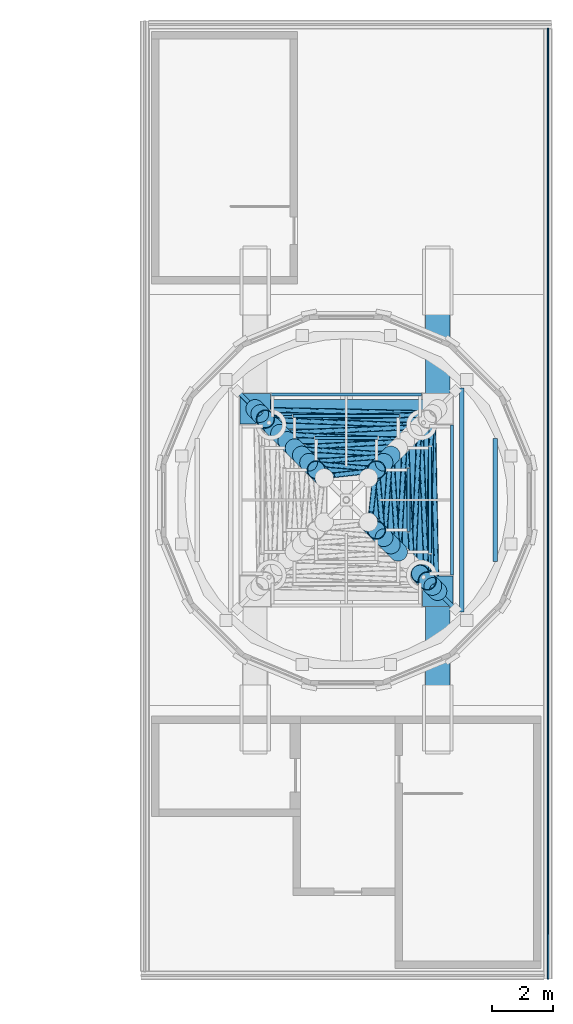
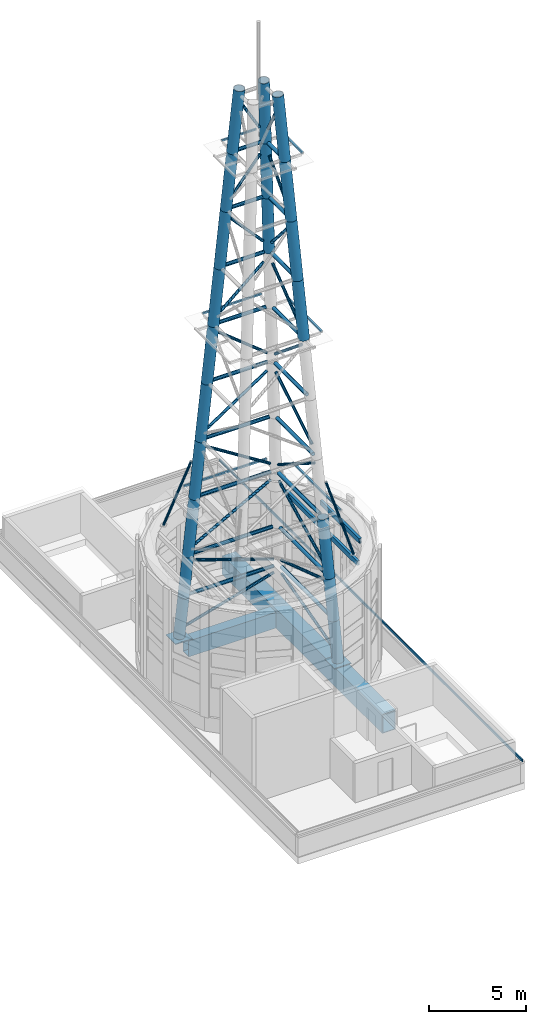
# One storey, part 8 of 36: 63 members, 10 beams.
"""IFC4 building model written with IfcOpenShell, lengths in metres."""

from ifc_helpers import new_model, si_unit, direction, frame, origin, origin_2d, place, context, subcontext, project, spatial, rectangle, hollow_rectangle, hollow_circle, extrude, material, material_profile, profile_set, type_object, element, save


model = new_model("IFC4")

# Units and contexts
model_context = context("Model", 3, precision=1e-05, world=origin(), true_north=direction((0.0, 1.0)))
body_context = subcontext(model_context, "Body", "Model", "MODEL_VIEW")
ifc_project = project(units=[si_unit("LENGTHUNIT", "METRE"), si_unit("AREAUNIT", "SQUARE_METRE"), si_unit("VOLUMEUNIT", "CUBIC_METRE"), si_unit("PLANEANGLEUNIT", "RADIAN"), si_unit("MASSUNIT", "GRAM", prefix="KILO")], contexts=[model_context])

# Site, building, storey
site_placement = place(None, origin())
site = spatial("IfcSite", under=ifc_project, at=site_placement, CompositionType="ELEMENT")
building_placement = place(site_placement, origin())
building = spatial("IfcBuilding", under=site, at=building_placement, Name="Ipe Terrace Towers", CompositionType="ELEMENT")
storey_placement = place(building_placement, frame((0.0, 0.0, 264.89990234375)))
storey = spatial("IfcBuildingStorey", under=building, at=storey_placement, Name="Roof", CompositionType="ELEMENT", Elevation=264.89990234375)

# Beams
ifc_material_1 = material(Name="Steel S355", Category="steel")
ifc_material_profile_1 = material_profile(ifc_material_1, hollow_rectangle(XDim=0.60009765625, YDim=1.0, WallThickness=0.030029296875, at=origin_2d()), Name="CROWN-CROSS BEAM BOX 600x1000x30")
ifc_profile_set_1 = profile_set([ifc_material_profile_1], Name="Steel S355")
beam_type_1 = type_object("IfcBeamType", Name="CROWN-CROSS BEAM BOX 600x1000x30", PredefinedType="BEAM", material=ifc_profile_set_1)
beam_1_placement = place(storey_placement, frame((38.60009765625, 3.0, 0.5), z_axis=(-1.0, 0.0, 0.0), x_axis=(0.0, -1.0, 0.0)))
element("IfcBeam", 1, at=beam_1_placement, inside=storey, type_object=beam_type_1, Name="T2-CX2 crown cross beam", PredefinedType="BEAM", context=body_context, shape_type="SweptSolid", body=[
    extrude(hollow_rectangle(XDim=0.60009765625, YDim=1.0, WallThickness=0.030029296875, at=origin_2d()), origin(), (0.0, 0.0, 1.0), 5.2001953125),
])
ifc_material_2 = material(Name="Steel S355", Category="steel")
ifc_material_profile_2 = material_profile(ifc_material_2, hollow_rectangle(XDim=0.14990234375, YDim=0.300048828125, WallThickness=0.010009765625, at=origin_2d()), Name="CROWN-DRUM PURLIN BOX 150x300x10")
ifc_profile_set_2 = profile_set([ifc_material_profile_2], Name="Steel S355")
beam_type_2 = type_object("IfcBeamType", Name="CROWN-DRUM PURLIN BOX 150x300x10", PredefinedType="BEAM", material=ifc_profile_set_2)
beam_2_placement = place(storey_placement, frame((39.800048828125, -3.68701171875, 7.550048828125), z_axis=(0.0, 1.0, 0.0), x_axis=(-1.0, 0.0, 0.0)))
element("IfcBeam", 2, at=beam_2_placement, inside=storey, type_object=beam_type_2, Name="T2-CR-PU1S drum roof purlin", PredefinedType="BEAM", context=body_context, shape_type="SweptSolid", body=[
    extrude(hollow_rectangle(XDim=0.14990234375, YDim=0.300048828125, WallThickness=0.010009765625, at=origin_2d()), origin(), (0.0, 0.0, 1.0), 7.3740234375),
])
beam_3_placement = place(storey_placement, frame((40.89990234375, -2.01806640625, 7.550048828125), z_axis=(0.0, 1.0, 0.0), x_axis=(-1.0, 0.0, 0.0)))
element("IfcBeam", 3, at=beam_3_placement, inside=storey, type_object=beam_type_2, Name="T2-CR-PU2S drum roof purlin", PredefinedType="BEAM", context=body_context, shape_type="SweptSolid", body=[
    extrude(hollow_rectangle(XDim=0.14990234375, YDim=0.300048828125, WallThickness=0.010009765625, at=origin_2d()), origin(), (0.0, 0.0, 1.0), 4.0361328125),
])
ifc_material_3 = material(Name="Steel S355", Category="steel")
ifc_material_profile_3 = material_profile(ifc_material_3, hollow_rectangle(XDim=0.800048828125, YDim=1.199951171875, WallThickness=0.0400390625, at=origin_2d()), Name="CROWN-GIRDER BOX 800x1200x40")
ifc_profile_set_3 = profile_set([ifc_material_profile_3], Name="Steel S355")
beam_type_3 = type_object("IfcBeamType", Name="CROWN-GIRDER BOX 800x1200x40", PredefinedType="BEAM", material=ifc_profile_set_3)
beam_4_placement = place(storey_placement, frame((39.0, -8.25, 0.60009765625), z_axis=(0.0, 1.0, 0.0), x_axis=(-1.0, 0.0, 0.0)))
element("IfcBeam", 4, at=beam_4_placement, inside=storey, type_object=beam_type_3, Name="T2-CG1 crown girder", PredefinedType="BEAM", context=body_context, shape_type="SweptSolid", body=[
    extrude(hollow_rectangle(XDim=0.800048828125, YDim=1.199951171875, WallThickness=0.0400390625, at=origin_2d()), origin(), (0.0, 0.0, 1.0), 16.5),
])

# Members
ifc_material_4 = material(Name="Steel S355", Category="steel")
member_type_1 = type_object("IfcMemberType", Name="MAST-BASE PLATE 1000x1000x50", PredefinedType="PLATE", material=ifc_material_4)
for number, where, z_axis, x_axis, name in (
    (5, (39.0, -3.0, 1.2001953125), (0.0, 0.0, 1.0), (1.0, 0.0, 0.0), "T2-MP-SW mast base plate"),
    (6, (33.0, 3.0, 1.2001953125), (0.0, 0.0, 1.0), (1.0, 0.0, 0.0), "T2-MP-NE mast base plate"),
):
    element("IfcMember", number, at=place(storey_placement, frame(where, z_axis=z_axis, x_axis=x_axis)), inside=storey, type_object=member_type_1, Name=name, PredefinedType="PLATE", context=body_context, shape_type="SweptSolid", body=[
        extrude(rectangle(XDim=1.0, YDim=1.0, at=origin_2d()), origin(), (0.0, 0.0, 1.0), 0.050048828125),
    ])
ifc_material_5 = material(Name="Steel S355", Category="steel")
ifc_material_profile_4 = material_profile(ifc_material_5, hollow_circle(Radius=0.083984375, WallThickness=0.008056640625, at=origin_2d()), Name="MAST-BRACE CHS 168x8")
ifc_profile_set_4 = profile_set([ifc_material_profile_4], Name="Steel S355")
member_type_2 = type_object("IfcMemberType", Name="MAST-BRACE CHS 168x8", PredefinedType="BRACE", material=ifc_profile_set_4)
for number, where, z_axis, x_axis, name in (
    (7, (38.9609375, -2.653076171875, 1.84619140625), (-0.018900125811, 0.95633740865, 0.291653126265), (-0.999804768492, -0.019759172589, 0.0), "T2-MS-081 mast brace"),
    (8, (33.346923828125, 2.9609375, 1.84619140625), (0.95633740865, -0.018900125811, 0.291653126265), (0.019759172589, 0.999804768492, 0.0), "T2-MS-082 mast brace"),
):
    element("IfcMember", number, at=place(storey_placement, frame(where, z_axis=z_axis, x_axis=x_axis)), inside=storey, type_object=member_type_2, Name=name, PredefinedType="BRACE", context=body_context, shape_type="SweptSolid", body=[
        extrude(hollow_circle(Radius=0.083984375, WallThickness=0.008056640625, at=origin_2d()), origin(), (0.0, 0.0, 1.0), 5.451171875),
    ])
for number, where, z_axis, x_axis, name in (
    (9, (38.800048828125, 2.489013671875, 4.337158203125), (-0.021489448759, -0.943457644837, 0.330795822209), (0.999740697447, -0.022771426579, 0.0), "T2-MS-085 mast brace"),
    (10, (38.489013671875, 2.800048828125, 4.337158203125), (-0.943457644837, -0.021489448759, 0.330795822209), (0.022771426579, -0.999740697447, 0.0), "T2-MS-086 mast brace"),
):
    element("IfcMember", number, at=place(storey_placement, frame(where, z_axis=z_axis, x_axis=x_axis)), inside=storey, type_object=member_type_2, Name=name, PredefinedType="BRACE", context=body_context, shape_type="SweptSolid", body=[
        extrude(hollow_circle(Radius=0.083984375, WallThickness=0.008056640625, at=origin_2d()), origin(), (0.0, 0.0, 1.0), 5.169189453125),
    ])
for number, where, z_axis, x_axis, name in (
    (11, (38.625, -2.299072265625, 7.049072265625), (-0.032799136464, 0.861593500924, 0.506538108944), (-0.999276200493, -0.038040440683, 0.0), "T2-MS-089 mast brace"),
    (12, (33.700927734375, 2.625, 7.049072265625), (0.861593500924, -0.032799136464, 0.506538108944), (0.038040440683, 0.999276200493, 0.0), "T2-MS-090 mast brace"),
):
    element("IfcMember", number, at=place(storey_placement, frame(where, z_axis=z_axis, x_axis=x_axis)), inside=storey, type_object=member_type_2, Name=name, PredefinedType="BRACE", context=body_context, shape_type="SweptSolid", body=[
        extrude(hollow_circle(Radius=0.083984375, WallThickness=0.008056640625, at=origin_2d()), origin(), (0.0, 0.0, 1.0), 5.15087890625),
    ])
for number, where, z_axis, x_axis, name in (
    (13, (38.384033203125, 2.055908203125, 10.760009765625), (-0.035198613688, -0.838296395107, 0.544077394811), (0.999119656549, -0.041951303887, 0.0), "T2-MS-093 mast brace"),
    (14, (38.055908203125, 2.384033203125, 10.760009765625), (-0.838296395107, -0.035198613688, 0.544077394811), (0.041951303887, -0.999119656549, 0.0), "T2-MS-094 mast brace"),
):
    element("IfcMember", number, at=place(storey_placement, frame(where, z_axis=z_axis, x_axis=x_axis)), inside=storey, type_object=member_type_2, Name=name, PredefinedType="BRACE", context=body_context, shape_type="SweptSolid", body=[
        extrude(hollow_circle(Radius=0.083984375, WallThickness=0.008056640625, at=origin_2d()), origin(), (0.0, 0.0, 1.0), 4.716552734375),
    ])
for number, where, z_axis, x_axis, name in (
    (15, (38.14404296875, -1.81201171875, 14.47705078125), (-0.038048207912, 0.809549669247, 0.58581709338), (-0.998897362773, -0.046947402964, 0.0), "T2-MS-097 mast brace"),
    (16, (34.18798828125, 2.14404296875, 14.47705078125), (0.809549669247, -0.038048207912, 0.58581709338), (0.046947402964, 0.998897362773, 0.0), "T2-MS-098 mast brace"),
):
    element("IfcMember", number, at=place(storey_placement, frame(where, z_axis=z_axis, x_axis=x_axis)), inside=storey, type_object=member_type_2, Name=name, PredefinedType="BRACE", context=body_context, shape_type="SweptSolid", body=[
        extrude(hollow_circle(Radius=0.083984375, WallThickness=0.008056640625, at=origin_2d()), origin(), (0.0, 0.0, 1.0), 4.286376953125),
    ])
for number, where, z_axis, x_axis, name in (
    (17, (37.902099609375, 1.56689453125, 18.2021484375), (-0.04098334077, -0.772991343968, 0.633091421463), (0.998597441373, -0.052944783342, 0.0), "T2-MS-101 mast brace"),
    (18, (37.56689453125, 1.902099609375, 18.2021484375), (-0.772991343968, -0.04098334077, 0.633091421463), (0.052944783342, -0.998597441373, 0.0), "T2-MS-102 mast brace"),
):
    element("IfcMember", number, at=place(storey_placement, frame(where, z_axis=z_axis, x_axis=x_axis)), inside=storey, type_object=member_type_2, Name=name, PredefinedType="BRACE", context=body_context, shape_type="SweptSolid", body=[
        extrude(hollow_circle(Radius=0.083984375, WallThickness=0.008056640625, at=origin_2d()), origin(), (0.0, 0.0, 1.0), 3.860107421875),
    ])
for number, where, z_axis, x_axis, name in (
    (19, (37.659912109375, -1.321044921875, 21.940185546875), (-0.044215908923, 0.727074463766, 0.685133328293), (-0.998155975162, -0.060701311747, 0.0), "T2-MS-105 mast brace"),
    (20, (34.678955078125, 1.659912109375, 21.940185546875), (0.727074463766, -0.044215908923, 0.685133328293), (0.060701311747, 0.998155975162, 0.0), "T2-MS-106 mast brace"),
):
    element("IfcMember", number, at=place(storey_placement, frame(where, z_axis=z_axis, x_axis=x_axis)), inside=storey, type_object=member_type_2, Name=name, PredefinedType="BRACE", context=body_context, shape_type="SweptSolid", body=[
        extrude(hollow_circle(Radius=0.083984375, WallThickness=0.008056640625, at=origin_2d()), origin(), (0.0, 0.0, 1.0), 3.434326171875),
    ])
for number, where, z_axis, x_axis, name in (
    (21, (37.4169921875, 1.073974609375, 25.697021484375), (-0.047924679705, -0.668752352567, 0.741939024456), (0.997442068192, -0.071479511749, 0.0), "T2-MS-109 mast brace"),
    (22, (37.073974609375, 1.4169921875, 25.697021484375), (-0.668752352567, -0.047924679705, 0.741939024456), (0.071479511749, -0.997442068192, 0.0), "T2-MS-110 mast brace"),
):
    element("IfcMember", number, at=place(storey_placement, frame(where, z_axis=z_axis, x_axis=x_axis)), inside=storey, type_object=member_type_2, Name=name, PredefinedType="BRACE", context=body_context, shape_type="SweptSolid", body=[
        extrude(hollow_circle(Radius=0.083984375, WallThickness=0.008056640625, at=origin_2d()), origin(), (0.0, 0.0, 1.0), 3.005615234375),
    ])
for number, where, z_axis, x_axis, name in (
    (23, (37.172119140625, -0.823974609375, 29.488037109375), (-0.052037864447, 0.594854854142, 0.802146971051), (-0.996195452949, -0.087147114263, 0.0), "T2-MS-113 mast brace"),
    (24, (35.176025390625, 1.172119140625, 29.488037109375), (0.594854854142, -0.052037864447, 0.802146971051), (0.087147114263, 0.996195452949, 0.0), "T2-MS-114 mast brace"),
):
    element("IfcMember", number, at=place(storey_placement, frame(where, z_axis=z_axis, x_axis=x_axis)), inside=storey, type_object=member_type_2, Name=name, PredefinedType="BRACE", context=body_context, shape_type="SweptSolid", body=[
        extrude(hollow_circle(Radius=0.083984375, WallThickness=0.008056640625, at=origin_2d()), origin(), (0.0, 0.0, 1.0), 2.556884765625),
    ])
for number, where, z_axis, x_axis, name in (
    (25, (36.922119140625, 0.570068359375, 33.342041015625), (-0.056120894342, -0.502115544078, 0.862977650703), (0.993811777003, -0.111077233897, 0.0), "T2-MS-117 mast brace"),
    (26, (36.570068359375, 0.922119140625, 33.342041015625), (-0.502115544078, -0.056120894342, 0.862977650703), (0.111077233897, -0.993811777003, 0.0), "T2-MS-118 mast brace"),
):
    element("IfcMember", number, at=place(storey_placement, frame(where, z_axis=z_axis, x_axis=x_axis)), inside=storey, type_object=member_type_2, Name=name, PredefinedType="BRACE", context=body_context, shape_type="SweptSolid", body=[
        extrude(hollow_circle(Radius=0.083984375, WallThickness=0.008056640625, at=origin_2d()), origin(), (0.0, 0.0, 1.0), 2.05322265625),
    ])
ifc_material_6 = material(Name="Steel S355", Category="steel")
ifc_material_profile_5 = material_profile(ifc_material_6, hollow_circle(Radius=0.304931640625, WallThickness=0.02490234375, at=origin_2d()), Name="MAST-LEG CHS 610x25")
ifc_profile_set_5 = profile_set([ifc_material_profile_5], Name="Steel S355")
member_type_3 = type_object("IfcMemberType", Name="MAST-LEG CHS 610x25", PredefinedType="POST", material=ifc_profile_set_5)
member_1_placement = place(storey_placement, frame((38.998046875, -2.998046875, 1.277099609375), z_axis=(-0.064386978036, 0.064386978036, 0.995845687905), x_axis=(-0.707106781187, -0.707106781187, 0.0)))
element("IfcMember", 27, at=member_1_placement, inside=storey, type_object=member_type_3, Name="T2-MS-001 mast leg", PredefinedType="POST", context=body_context, shape_type="SweptSolid", body=[
    extrude(hollow_circle(Radius=0.304931640625, WallThickness=0.02490234375, at=origin_2d()), origin(), (0.0, 0.0, 1.0), 2.608642578125),
])
member_2_placement = place(storey_placement, frame((38.830078125, -2.830078125, 3.875), z_axis=(-0.064554439306, 0.064554439306, 0.995824004898), x_axis=(-0.707106781187, -0.707106781187, 0.0)))
element("IfcMember", 28, at=member_2_placement, inside=storey, type_object=member_type_3, Name="T2-MS-002 mast leg", PredefinedType="POST", context=body_context, shape_type="SweptSolid", body=[
    extrude(hollow_circle(Radius=0.304931640625, WallThickness=0.02490234375, at=origin_2d()), origin(), (0.0, 0.0, 1.0), 2.635986328125),
])
for number, where, z_axis, x_axis, name in (
    (29, (38.659912109375, -2.659912109375, 6.5), (-0.064555132618, 0.064555132618, 0.99582391501), (-0.707106781187, -0.707106781187, 0.0), "T2-MS-003 mast leg"),
    (30, (37.705078125, -1.705078125, 21.25), (-0.064555132618, 0.064555132618, 0.99582391501), (-0.707106781187, -0.707106781187, 0.0), "T2-MS-007 mast leg"),
):
    element("IfcMember", number, at=place(storey_placement, frame(where, z_axis=z_axis, x_axis=x_axis)), inside=storey, type_object=member_type_3, Name=name, PredefinedType="POST", context=body_context, shape_type="SweptSolid", body=[
        extrude(hollow_circle(Radius=0.304931640625, WallThickness=0.02490234375, at=origin_2d()), origin(), (0.0, 0.0, 1.0), 3.702392578125),
    ])
member_3_placement = place(storey_placement, frame((37.466064453125, -1.466064453125, 24.93701171875), z_axis=(-0.06427667421, 0.06427667421, 0.9958599391), x_axis=(-0.707106781187, -0.707106781187, 0.0)))
element("IfcMember", 31, at=member_3_placement, inside=storey, type_object=member_type_3, Name="T2-MS-008 mast leg", PredefinedType="POST", context=body_context, shape_type="SweptSolid", body=[
    extrude(hollow_circle(Radius=0.304931640625, WallThickness=0.02490234375, at=origin_2d()), origin(), (0.0, 0.0, 1.0), 3.703369140625),
])
member_4_placement = place(storey_placement, frame((37.22802734375, -1.22802734375, 28.625), z_axis=(-0.064555132618, 0.064555132618, 0.99582391501), x_axis=(-0.707106781187, -0.707106781187, 0.0)))
element("IfcMember", 32, at=member_4_placement, inside=storey, type_object=member_type_3, Name="T2-MS-009 mast leg", PredefinedType="POST", context=body_context, shape_type="SweptSolid", body=[
    extrude(hollow_circle(Radius=0.304931640625, WallThickness=0.02490234375, at=origin_2d()), origin(), (0.0, 0.0, 1.0), 3.702392578125),
])
member_5_placement = place(storey_placement, frame((36.989013671875, -0.989013671875, 32.31201171875), z_axis=(-0.064601727709, 0.064601727709, 0.995817871678), x_axis=(-0.707106781187, -0.707106781187, 0.0)))
element("IfcMember", 33, at=member_5_placement, inside=storey, type_object=member_type_3, Name="T2-MS-010 mast leg", PredefinedType="POST", context=body_context, shape_type="SweptSolid", body=[
    extrude(hollow_circle(Radius=0.304931640625, WallThickness=0.02490234375, at=origin_2d()), origin(), (0.0, 0.0, 1.0), 4.054931640625),
])
member_6_placement = place(storey_placement, frame((37.466064453125, 1.466064453125, 24.93701171875), z_axis=(-0.06427667421, -0.06427667421, 0.9958599391), x_axis=(0.707106781187, -0.707106781187, 0.0)))
element("IfcMember", 34, at=member_6_placement, inside=storey, type_object=member_type_3, Name="T2-MS-028 mast leg", PredefinedType="POST", context=body_context, shape_type="SweptSolid", body=[
    extrude(hollow_circle(Radius=0.304931640625, WallThickness=0.02490234375, at=origin_2d()), origin(), (0.0, 0.0, 1.0), 3.703369140625),
])
member_7_placement = place(storey_placement, frame((37.22802734375, 1.22802734375, 28.625), z_axis=(-0.064555132618, -0.064555132618, 0.99582391501), x_axis=(0.707106781187, -0.707106781187, 0.0)))
element("IfcMember", 35, at=member_7_placement, inside=storey, type_object=member_type_3, Name="T2-MS-029 mast leg", PredefinedType="POST", context=body_context, shape_type="SweptSolid", body=[
    extrude(hollow_circle(Radius=0.304931640625, WallThickness=0.02490234375, at=origin_2d()), origin(), (0.0, 0.0, 1.0), 3.702392578125),
])
member_8_placement = place(storey_placement, frame((36.989013671875, 0.989013671875, 32.31201171875), z_axis=(-0.064601727709, -0.064601727709, 0.995817871678), x_axis=(0.707106781187, -0.707106781187, 0.0)))
element("IfcMember", 36, at=member_8_placement, inside=storey, type_object=member_type_3, Name="T2-MS-030 mast leg", PredefinedType="POST", context=body_context, shape_type="SweptSolid", body=[
    extrude(hollow_circle(Radius=0.304931640625, WallThickness=0.02490234375, at=origin_2d()), origin(), (0.0, 0.0, 1.0), 4.054931640625),
])
member_9_placement = place(storey_placement, frame((33.001953125, 2.998046875, 1.277099609375), z_axis=(0.064386978036, -0.064386978036, 0.995845687905), x_axis=(0.707106781187, 0.707106781187, 0.0)))
element("IfcMember", 37, at=member_9_placement, inside=storey, type_object=member_type_3, Name="T2-MS-031 mast leg", PredefinedType="POST", context=body_context, shape_type="SweptSolid", body=[
    extrude(hollow_circle(Radius=0.304931640625, WallThickness=0.02490234375, at=origin_2d()), origin(), (0.0, 0.0, 1.0), 2.608642578125),
])
member_10_placement = place(storey_placement, frame((33.169921875, 2.830078125, 3.875), z_axis=(0.064554439306, -0.064554439306, 0.995824004898), x_axis=(0.707106781187, 0.707106781187, 0.0)))
element("IfcMember", 38, at=member_10_placement, inside=storey, type_object=member_type_3, Name="T2-MS-032 mast leg", PredefinedType="POST", context=body_context, shape_type="SweptSolid", body=[
    extrude(hollow_circle(Radius=0.304931640625, WallThickness=0.02490234375, at=origin_2d()), origin(), (0.0, 0.0, 1.0), 2.635986328125),
])
member_11_placement = place(storey_placement, frame((33.340087890625, 2.659912109375, 6.5), z_axis=(0.064555132618, -0.064555132618, 0.99582391501), x_axis=(0.707106781187, 0.707106781187, 0.0)))
element("IfcMember", 39, at=member_11_placement, inside=storey, type_object=member_type_3, Name="T2-MS-033 mast leg", PredefinedType="POST", context=body_context, shape_type="SweptSolid", body=[
    extrude(hollow_circle(Radius=0.304931640625, WallThickness=0.02490234375, at=origin_2d()), origin(), (0.0, 0.0, 1.0), 3.702392578125),
])
member_12_placement = place(storey_placement, frame((33.5791015625, 2.4208984375, 10.18701171875), z_axis=(0.064211293321, -0.064211293321, 0.995868374646), x_axis=(0.707106781187, 0.707106781187, 0.0)))
element("IfcMember", 40, at=member_12_placement, inside=storey, type_object=member_type_3, Name="T2-MS-034 mast leg", PredefinedType="POST", context=body_context, shape_type="SweptSolid", body=[
    extrude(hollow_circle(Radius=0.304931640625, WallThickness=0.02490234375, at=origin_2d()), origin(), (0.0, 0.0, 1.0), 3.703369140625),
])
member_13_placement = place(storey_placement, frame((33.81689453125, 2.18310546875, 13.875), z_axis=(0.064555132618, -0.064555132618, 0.99582391501), x_axis=(0.707106781187, 0.707106781187, 0.0)))
element("IfcMember", 41, at=member_13_placement, inside=storey, type_object=member_type_3, Name="T2-MS-035 mast leg", PredefinedType="POST", context=body_context, shape_type="SweptSolid", body=[
    extrude(hollow_circle(Radius=0.304931640625, WallThickness=0.02490234375, at=origin_2d()), origin(), (0.0, 0.0, 1.0), 3.702392578125),
])
member_14_placement = place(storey_placement, frame((34.055908203125, 1.944091796875, 17.56201171875), z_axis=(0.06453818113, -0.06453818113, 0.995826112508), x_axis=(0.707106781187, 0.707106781187, 0.0)))
element("IfcMember", 42, at=member_14_placement, inside=storey, type_object=member_type_3, Name="T2-MS-036 mast leg", PredefinedType="POST", context=body_context, shape_type="SweptSolid", body=[
    extrude(hollow_circle(Radius=0.304931640625, WallThickness=0.02490234375, at=origin_2d()), origin(), (0.0, 0.0, 1.0), 3.703369140625),
])
member_15_placement = place(storey_placement, frame((34.294921875, 1.705078125, 21.25), z_axis=(0.064555132618, -0.064555132618, 0.99582391501), x_axis=(0.707106781187, 0.707106781187, 0.0)))
element("IfcMember", 43, at=member_15_placement, inside=storey, type_object=member_type_3, Name="T2-MS-037 mast leg", PredefinedType="POST", context=body_context, shape_type="SweptSolid", body=[
    extrude(hollow_circle(Radius=0.304931640625, WallThickness=0.02490234375, at=origin_2d()), origin(), (0.0, 0.0, 1.0), 3.702392578125),
])
member_16_placement = place(storey_placement, frame((34.533935546875, 1.466064453125, 24.93701171875), z_axis=(0.06427667421, -0.06427667421, 0.9958599391), x_axis=(0.707106781187, 0.707106781187, 0.0)))
element("IfcMember", 44, at=member_16_placement, inside=storey, type_object=member_type_3, Name="T2-MS-038 mast leg", PredefinedType="POST", context=body_context, shape_type="SweptSolid", body=[
    extrude(hollow_circle(Radius=0.304931640625, WallThickness=0.02490234375, at=origin_2d()), origin(), (0.0, 0.0, 1.0), 3.703369140625),
])
member_17_placement = place(storey_placement, frame((34.77197265625, 1.22802734375, 28.625), z_axis=(0.064555132618, -0.064555132618, 0.99582391501), x_axis=(0.707106781187, 0.707106781187, 0.0)))
element("IfcMember", 45, at=member_17_placement, inside=storey, type_object=member_type_3, Name="T2-MS-039 mast leg", PredefinedType="POST", context=body_context, shape_type="SweptSolid", body=[
    extrude(hollow_circle(Radius=0.304931640625, WallThickness=0.02490234375, at=origin_2d()), origin(), (0.0, 0.0, 1.0), 3.702392578125),
])
member_18_placement = place(storey_placement, frame((35.010986328125, 0.989013671875, 32.31201171875), z_axis=(0.064601727709, -0.064601727709, 0.995817871678), x_axis=(0.707106781187, 0.707106781187, 0.0)))
element("IfcMember", 46, at=member_18_placement, inside=storey, type_object=member_type_3, Name="T2-MS-040 mast leg", PredefinedType="POST", context=body_context, shape_type="SweptSolid", body=[
    extrude(hollow_circle(Radius=0.304931640625, WallThickness=0.02490234375, at=origin_2d()), origin(), (0.0, 0.0, 1.0), 4.054931640625),
])

# Beams
ifc_material_7 = material(Name="Steel S355", Category="steel")
ifc_material_profile_6 = material_profile(ifc_material_7, hollow_rectangle(XDim=0.10009765625, YDim=0.10009765625, WallThickness=0.006103515625, at=origin_2d()), Name="MAST-PLATFORM EDGE BEAM BOX 100x100x6")
ifc_profile_set_6 = profile_set([ifc_material_profile_6], Name="Steel S355")
beam_type_4 = type_object("IfcBeamType", Name="MAST-PLATFORM EDGE BEAM BOX 100x100x6", PredefinedType="BEAM", material=ifc_profile_set_6)
for number, where, z_axis, x_axis, name in (
    (47, (39.470947265625, -2.470947265625, 10.2470703125), (0.0, 1.0, 0.0), (-1.0, 0.0, 0.0), "T2-MS-129 mast platform edge beam"),
    (48, (38.470947265625, 3.470947265625, 10.2470703125), (-1.0, 0.0, 0.0), (0.0, -1.0, 0.0), "T2-MS-132 mast platform edge beam"),
):
    element("IfcBeam", number, at=place(storey_placement, frame(where, z_axis=z_axis, x_axis=x_axis)), inside=storey, type_object=beam_type_4, Name=name, PredefinedType="BEAM", context=body_context, shape_type="SweptSolid", body=[
        extrude(hollow_rectangle(XDim=0.10009765625, YDim=0.10009765625, WallThickness=0.006103515625, at=origin_2d()), origin(), (0.0, 0.0, 1.0), 4.94189453125),
    ])
for number, where, z_axis, x_axis, name in (
    (49, (38.7548828125, -1.7548828125, 21.31005859375), (0.0, 1.0, 0.0), (-1.0, 0.0, 0.0), "T2-MS-145 mast platform edge beam"),
    (50, (37.7548828125, 2.7548828125, 21.31005859375), (-1.0, 0.0, 0.0), (0.0, -1.0, 0.0), "T2-MS-148 mast platform edge beam"),
):
    element("IfcBeam", number, at=place(storey_placement, frame(where, z_axis=z_axis, x_axis=x_axis)), inside=storey, type_object=beam_type_4, Name=name, PredefinedType="BEAM", context=body_context, shape_type="SweptSolid", body=[
        extrude(hollow_rectangle(XDim=0.10009765625, YDim=0.10009765625, WallThickness=0.006103515625, at=origin_2d()), origin(), (0.0, 0.0, 1.0), 3.509765625),
    ])
for number, where, z_axis, x_axis, name in (
    (51, (38.0390625, -1.0390625, 32.3720703125), (0.0, 1.0, 0.0), (-1.0, 0.0, 0.0), "T2-MS-161 mast platform edge beam"),
    (52, (37.0390625, 2.0390625, 32.3720703125), (-1.0, 0.0, 0.0), (0.0, -1.0, 0.0), "T2-MS-164 mast platform edge beam"),
):
    element("IfcBeam", number, at=place(storey_placement, frame(where, z_axis=z_axis, x_axis=x_axis)), inside=storey, type_object=beam_type_4, Name=name, PredefinedType="BEAM", context=body_context, shape_type="SweptSolid", body=[
        extrude(hollow_rectangle(XDim=0.10009765625, YDim=0.10009765625, WallThickness=0.006103515625, at=origin_2d()), origin(), (0.0, 0.0, 1.0), 2.078125),
    ])

# Members
ifc_material_8 = material(Name="Steel S355", Category="steel")
ifc_material_profile_7 = material_profile(ifc_material_8, hollow_circle(Radius=0.109619140625, WallThickness=0.010009765625, at=origin_2d()), Name="MAST-RING CHS 219x10")
ifc_profile_set_7 = profile_set([ifc_material_profile_7], Name="Steel S355")
member_type_4 = type_object("IfcMemberType", Name="MAST-RING CHS 219x10", PredefinedType="STRUT", material=ifc_profile_set_7)
for number, where, z_axis, x_axis, name in (
    (53, (38.830078125, -2.51806640625, 3.875), (0.0, 1.0, 0.0), (-1.0, 0.0, 0.0), "T2-MS-041 mast ring"),
    (54, (38.51806640625, 2.830078125, 3.875), (-1.0, 0.0, 0.0), (0.0, -1.0, 0.0), "T2-MS-042 mast ring"),
):
    element("IfcMember", number, at=place(storey_placement, frame(where, z_axis=z_axis, x_axis=x_axis)), inside=storey, type_object=member_type_4, Name=name, PredefinedType="STRUT", context=body_context, shape_type="SweptSolid", body=[
        extrude(hollow_circle(Radius=0.109619140625, WallThickness=0.010009765625, at=origin_2d()), origin(), (0.0, 0.0, 1.0), 5.0361328125),
    ])
for number, where, z_axis, x_axis, name in (
    (55, (38.659912109375, -2.347900390625, 6.5), (0.0, 1.0, 0.0), (-1.0, 0.0, 0.0), "T2-MS-045 mast ring"),
    (56, (38.347900390625, 2.659912109375, 6.5), (-1.0, 0.0, 0.0), (0.0, -1.0, 0.0), "T2-MS-046 mast ring"),
):
    element("IfcMember", number, at=place(storey_placement, frame(where, z_axis=z_axis, x_axis=x_axis)), inside=storey, type_object=member_type_4, Name=name, PredefinedType="STRUT", context=body_context, shape_type="SweptSolid", body=[
        extrude(hollow_circle(Radius=0.109619140625, WallThickness=0.010009765625, at=origin_2d()), origin(), (0.0, 0.0, 1.0), 4.69580078125),
    ])
for number, where, z_axis, x_axis, name in (
    (57, (38.4208984375, -2.10888671875, 10.18701171875), (0.0, 1.0, 0.0), (-1.0, 0.0, 0.0), "T2-MS-049 mast ring"),
    (58, (38.10888671875, 2.4208984375, 10.18701171875), (-1.0, 0.0, 0.0), (0.0, -1.0, 0.0), "T2-MS-050 mast ring"),
):
    element("IfcMember", number, at=place(storey_placement, frame(where, z_axis=z_axis, x_axis=x_axis)), inside=storey, type_object=member_type_4, Name=name, PredefinedType="STRUT", context=body_context, shape_type="SweptSolid", body=[
        extrude(hollow_circle(Radius=0.109619140625, WallThickness=0.010009765625, at=origin_2d()), origin(), (0.0, 0.0, 1.0), 4.2177734375),
    ])
for number, where, z_axis, x_axis, name in (
    (59, (38.18310546875, -1.8701171875, 13.875), (0.0, 1.0, 0.0), (-1.0, 0.0, 0.0), "T2-MS-053 mast ring"),
    (60, (37.8701171875, 2.18310546875, 13.875), (-1.0, 0.0, 0.0), (0.0, -1.0, 0.0), "T2-MS-054 mast ring"),
):
    element("IfcMember", number, at=place(storey_placement, frame(where, z_axis=z_axis, x_axis=x_axis)), inside=storey, type_object=member_type_4, Name=name, PredefinedType="STRUT", context=body_context, shape_type="SweptSolid", body=[
        extrude(hollow_circle(Radius=0.109619140625, WallThickness=0.010009765625, at=origin_2d()), origin(), (0.0, 0.0, 1.0), 3.740234375),
    ])
for number, where, z_axis, x_axis, name in (
    (61, (37.944091796875, -1.632080078125, 17.56201171875), (0.0, 1.0, 0.0), (-1.0, 0.0, 0.0), "T2-MS-057 mast ring"),
    (62, (37.632080078125, 1.944091796875, 17.56201171875), (-1.0, 0.0, 0.0), (0.0, -1.0, 0.0), "T2-MS-058 mast ring"),
):
    element("IfcMember", number, at=place(storey_placement, frame(where, z_axis=z_axis, x_axis=x_axis)), inside=storey, type_object=member_type_4, Name=name, PredefinedType="STRUT", context=body_context, shape_type="SweptSolid", body=[
        extrude(hollow_circle(Radius=0.109619140625, WallThickness=0.010009765625, at=origin_2d()), origin(), (0.0, 0.0, 1.0), 3.26416015625),
    ])
for number, where, z_axis, x_axis, name in (
    (63, (37.705078125, -1.39306640625, 21.25), (0.0, 1.0, 0.0), (-1.0, 0.0, 0.0), "T2-MS-061 mast ring"),
    (64, (37.39306640625, 1.705078125, 21.25), (-1.0, 0.0, 0.0), (0.0, -1.0, 0.0), "T2-MS-062 mast ring"),
):
    element("IfcMember", number, at=place(storey_placement, frame(where, z_axis=z_axis, x_axis=x_axis)), inside=storey, type_object=member_type_4, Name=name, PredefinedType="STRUT", context=body_context, shape_type="SweptSolid", body=[
        extrude(hollow_circle(Radius=0.109619140625, WallThickness=0.010009765625, at=origin_2d()), origin(), (0.0, 0.0, 1.0), 2.7861328125),
    ])
for number, where, z_axis, x_axis, name in (
    (65, (37.466064453125, -1.154052734375, 24.93701171875), (0.0, 1.0, 0.0), (-1.0, 0.0, 0.0), "T2-MS-065 mast ring"),
    (66, (37.154052734375, 1.466064453125, 24.93701171875), (-1.0, 0.0, 0.0), (0.0, -1.0, 0.0), "T2-MS-066 mast ring"),
):
    element("IfcMember", number, at=place(storey_placement, frame(where, z_axis=z_axis, x_axis=x_axis)), inside=storey, type_object=member_type_4, Name=name, PredefinedType="STRUT", context=body_context, shape_type="SweptSolid", body=[
        extrude(hollow_circle(Radius=0.109619140625, WallThickness=0.010009765625, at=origin_2d()), origin(), (0.0, 0.0, 1.0), 2.30810546875),
    ])
for number, where, z_axis, x_axis, name in (
    (67, (37.22802734375, -0.9150390625, 28.625), (0.0, 1.0, 0.0), (-1.0, 0.0, 0.0), "T2-MS-069 mast ring"),
    (68, (36.9150390625, 1.22802734375, 28.625), (-1.0, 0.0, 0.0), (0.0, -1.0, 0.0), "T2-MS-070 mast ring"),
):
    element("IfcMember", number, at=place(storey_placement, frame(where, z_axis=z_axis, x_axis=x_axis)), inside=storey, type_object=member_type_4, Name=name, PredefinedType="STRUT", context=body_context, shape_type="SweptSolid", body=[
        extrude(hollow_circle(Radius=0.109619140625, WallThickness=0.010009765625, at=origin_2d()), origin(), (0.0, 0.0, 1.0), 1.830078125),
    ])
for number, where, z_axis, x_axis, name in (
    (69, (36.989013671875, -0.677001953125, 32.31201171875), (0.0, 1.0, 0.0), (-1.0, 0.0, 0.0), "T2-MS-073 mast ring"),
    (70, (36.677001953125, 0.989013671875, 32.31201171875), (-1.0, 0.0, 0.0), (0.0, -1.0, 0.0), "T2-MS-074 mast ring"),
):
    element("IfcMember", number, at=place(storey_placement, frame(where, z_axis=z_axis, x_axis=x_axis)), inside=storey, type_object=member_type_4, Name=name, PredefinedType="STRUT", context=body_context, shape_type="SweptSolid", body=[
        extrude(hollow_circle(Radius=0.109619140625, WallThickness=0.010009765625, at=origin_2d()), origin(), (0.0, 0.0, 1.0), 1.35400390625),
    ])
ifc_material_9 = material(Name="Steel S355", Category="steel")
ifc_material_profile_8 = material_profile(ifc_material_9, hollow_circle(Radius=0.070068359375, WallThickness=0.008056640625, at=origin_2d()), Name="MAST-STAY CHS 140x8")
ifc_profile_set_8 = profile_set([ifc_material_profile_8], Name="Steel S355")
member_type_5 = type_object("IfcMemberType", Name="MAST-STAY CHS 140x8", PredefinedType="BRACE", material=ifc_profile_set_8)
for number, where, z_axis, x_axis, name in (
    (71, (39.5859375, -3.5859375, 8.132080078125), (-0.231014213208, 0.231014213208, 0.945126905019), (-0.707106781187, -0.707106781187, 0.0), "T2-MS-S1 mast stay"),
    (72, (32.4140625, 3.5859375, 8.132080078125), (0.231014213208, -0.231014213208, 0.945126905019), (0.707106781187, 0.707106781187, 0.0), "T2-MS-S4 mast stay"),
):
    element("IfcMember", number, at=place(storey_placement, frame(where, z_axis=z_axis, x_axis=x_axis)), inside=storey, type_object=member_type_5, Name=name, PredefinedType="BRACE", context=body_context, shape_type="SweptSolid", body=[
        extrude(hollow_circle(Radius=0.070068359375, WallThickness=0.008056640625, at=origin_2d()), origin(), (0.0, 0.0, 1.0), 4.51904296875),
    ])
ifc_material_10 = material(Name="Stainless steel S316", Category="steel")
ifc_material_profile_9 = material_profile(ifc_material_10, rectangle(XDim=0.06005859375, YDim=0.14990234375, at=origin_2d()), Name="SNOW GUARD BAR")
ifc_profile_set_9 = profile_set([ifc_material_profile_9], Name="Stainless steel S316")
member_type_6 = type_object("IfcMemberType", Name="SNOW GUARD BAR", PredefinedType="USERDEFINED", material=ifc_profile_set_9)
member_19_placement = place(storey_placement, frame((42.625, -15.75, 1.43505859375), z_axis=(0.0, 1.0, 0.0), x_axis=(-1.0, 0.0, 0.0)))
element("IfcMember", 73, at=member_19_placement, inside=storey, type_object=member_type_6, Name="snow guard bar", ObjectType="SNOW GUARD", PredefinedType="USERDEFINED", context=body_context, shape_type="SweptSolid", body=[
    extrude(rectangle(XDim=0.06005859375, YDim=0.14990234375, at=origin_2d()), origin(), (0.0, 0.0, 1.0), 31.25),
])

save(model, "model.ifc")
